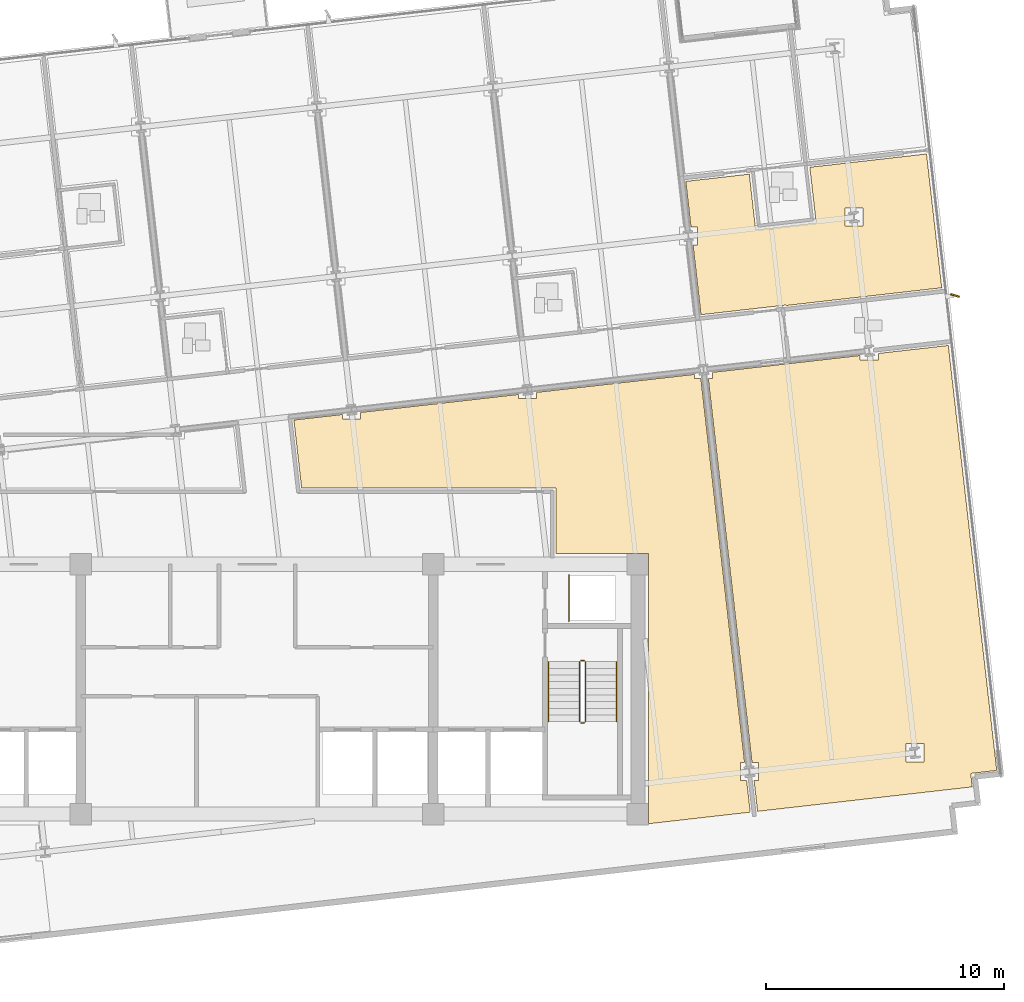
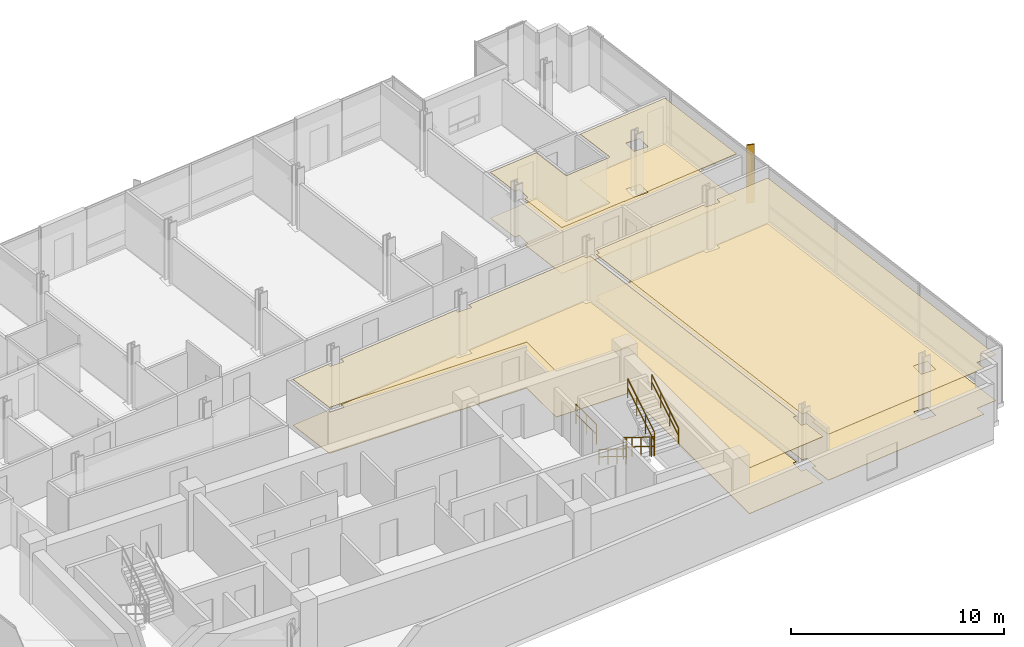
# One storey, part 14 of 16: 7 railings, 6 coverings, 1 shading device.
"""IFC4 building model written with IfcOpenShell, lengths in metres."""

from ifc_helpers import new_model, si_unit, direction, frame, origin, origin_2d, place, context, subcontext, project, spatial, polyline, rectangle, circle, outline, extrude, material, layer, layer_set, type_object, element, save


model = new_model("IFC4")

# Units and contexts
model_context = context("Model", 3, precision=1e-05, world=origin(), true_north=direction((0.0, 1.0)))
body_context = subcontext(model_context, "Body", "Model", "MODEL_VIEW")
ifc_project = project(units=[si_unit("LENGTHUNIT", "METRE"), si_unit("AREAUNIT", "SQUARE_METRE"), si_unit("VOLUMEUNIT", "CUBIC_METRE"), si_unit("PLANEANGLEUNIT", "RADIAN"), si_unit("MASSUNIT", "GRAM", prefix="KILO")], contexts=[model_context])

# Site, building, storey
site_placement = place(None, origin())
site = spatial("IfcSite", under=ifc_project, at=site_placement, CompositionType="ELEMENT")
building_placement = place(site_placement, origin())
building = spatial("IfcBuilding", under=site, at=building_placement, Name="Solmavex Isthmus Hotel", CompositionType="ELEMENT")
storey_placement = place(building_placement, frame((0.0, 0.0, 222.75)))
storey = spatial("IfcBuildingStorey", under=building, at=storey_placement, Name="L60", CompositionType="ELEMENT", Elevation=222.75)

# Coverings
ifc_material_1 = material(Name="Gypsum plasterboard lining", Category="gypsum")
ifc_layer_1 = layer(ifc_material_1, 0.030029296875)
ifc_layer_set_1 = layer_set([ifc_layer_1], Name="Gypsum plasterboard lining")
covering_type_1 = type_object("IfcCoveringType", Name="COV-CEIL-GYP", PredefinedType="CEILING", material=ifc_layer_set_1)
covering_1_placement = place(storey_placement, frame((0.0, 0.0, 2.6201171875)))
element("IfcCovering", 1, at=covering_1_placement, inside=storey, type_object=covering_type_1, Name="Suspended Acoustic Ceiling L60-ST06-FY", PredefinedType="CEILING", context=body_context, shape_type="SweptSolid", body=[
    extrude(outline(polyline([(20.68017578125, 13.8857421875), (18.013427734375, 13.581787109375), (18.044189453125, 13.3115234375), (18.23193359375, 11.6640625), (18.499267578125, 11.6640625), (18.499267578125, 10.904052734375), (18.318359375, 10.904052734375), (18.651611328125, 7.97998046875), (22.228515625, 8.3876953125), (22.230712890625, 8.36767578125), (28.766357421875, 9.1123046875), (28.1259765625, 14.73388671875), (23.2236328125, 14.175537109375), (23.48974609375, 11.840576171875), (20.946044921875, 11.55078125), (20.68017578125, 13.8857421875)]), holes=[polyline([(24.7021484375, 11.697265625), (24.7021484375, 12.457275390625), (25.462158203125, 12.457275390625), (25.462158203125, 11.697265625), (24.7021484375, 11.697265625)])]), origin(), (0.0, 0.0, 1.0), 0.02978515625),
])
covering_2_placement = place(storey_placement, frame((0.0, 0.0, 2.6201171875)))
element("IfcCovering", 2, at=covering_2_placement, inside=storey, type_object=covering_type_1, Name="Suspended Acoustic Ceiling L60-FL11", PredefinedType="CEILING", context=body_context, shape_type="SweptSolid", body=[
    extrude(outline(polyline([(4.34228515625, 3.873779296875), (4.34228515625, 3.6064453125), (3.582275390625, 3.6064453125), (3.582275390625, 3.787109375), (1.547607421875, 3.555419921875), (1.872314453125, 0.705078125), (12.554931640625, 0.705078125), (12.554931640625, -2.044921875), (16.455078125, -2.044921875), (16.455078125, -13.406005859375), (20.720947265625, -12.920166015625), (20.5703125, -11.598388671875), (20.302978515625, -11.598388671875), (20.302978515625, -10.83837890625), (20.483642578125, -10.83837890625), (18.645751953125, 5.292236328125), (18.378662109375, 5.292236328125), (18.378662109375, 5.472900390625), (11.740478515625, 4.716796875), (11.740478515625, 4.449462890625), (10.98046875, 4.449462890625), (10.98046875, 4.630126953125), (4.34228515625, 3.873779296875)])), origin(), (0.0, 0.0, 1.0), 0.02978515625),
])
covering_3_placement = place(storey_placement, frame((0.0, 0.0, 2.6201171875)))
element("IfcCovering", 3, at=covering_3_placement, inside=storey, type_object=covering_type_1, Name="Suspended Acoustic Ceiling L60-FL12", PredefinedType="CEILING", context=body_context, shape_type="SweptSolid", body=[
    extrude(outline(polyline([(20.795654296875, -10.83837890625), (21.06298828125, -10.83837890625), (21.06298828125, -11.598388671875), (20.88232421875, -11.598388671875), (21.02880859375, -12.885009765625), (30.048583984375, -11.857421875), (29.98388671875, -11.291015625), (31.076904296875, -11.16650390625), (30.983642578125, -10.3466796875), (29.042724609375, 6.68798828125), (26.1015625, 6.35302734375), (26.1015625, 6.085693359375), (25.341552734375, 6.085693359375), (25.341552734375, 6.266357421875), (19.138427734375, 5.5595703125), (19.138427734375, 5.292236328125), (18.957763671875, 5.292236328125), (20.795654296875, -10.83837890625)]), holes=[polyline([(27.265869140625, -10.80517578125), (27.265869140625, -10.045166015625), (28.02587890625, -10.045166015625), (28.02587890625, -10.80517578125), (27.265869140625, -10.80517578125)])]), origin(), (0.0, 0.0, 1.0), 0.02978515625),
])
ifc_material_2 = material(Name="Travertine natural stone", Category="masonry")
ifc_layer_2 = layer(ifc_material_2, 0.02490234375)
ifc_layer_set_2 = layer_set([ifc_layer_2], Name="Travertine natural stone")
covering_type_2 = type_object("IfcCoveringType", Name="COV-FLOR-STN", PredefinedType="FLOORING", material=ifc_layer_set_2)
covering_4_placement = place(storey_placement, origin())
element("IfcCovering", 4, at=covering_4_placement, inside=storey, type_object=covering_type_2, Name="Stone and Timber Floor Finish L60-ST06-FY", PredefinedType="FLOORING", context=body_context, shape_type="SweptSolid", body=[
    extrude(outline(polyline([(20.68017578125, 13.8857421875), (18.013427734375, 13.581787109375), (18.044189453125, 13.3115234375), (18.23193359375, 11.6640625), (18.499267578125, 11.6640625), (18.499267578125, 10.904052734375), (18.318359375, 10.904052734375), (18.651611328125, 7.97998046875), (22.228515625, 8.3876953125), (22.230712890625, 8.36767578125), (28.766357421875, 9.1123046875), (28.1259765625, 14.73388671875), (23.2236328125, 14.175537109375), (23.48974609375, 11.840576171875), (20.946044921875, 11.55078125), (20.68017578125, 13.8857421875)]), holes=[polyline([(24.7021484375, 11.697265625), (24.7021484375, 12.457275390625), (25.462158203125, 12.457275390625), (25.462158203125, 11.697265625), (24.7021484375, 11.697265625)])]), origin(), (0.0, 0.0, 1.0), 0.02490234375),
])
covering_5_placement = place(storey_placement, origin())
element("IfcCovering", 5, at=covering_5_placement, inside=storey, type_object=covering_type_2, Name="Stone and Timber Floor Finish L60-FL11", PredefinedType="FLOORING", context=body_context, shape_type="SweptSolid", body=[
    extrude(outline(polyline([(4.34228515625, 3.873779296875), (4.34228515625, 3.6064453125), (3.582275390625, 3.6064453125), (3.582275390625, 3.787109375), (1.547607421875, 3.555419921875), (1.872314453125, 0.705078125), (12.554931640625, 0.705078125), (12.554931640625, -2.044921875), (16.455078125, -2.044921875), (16.455078125, -13.406005859375), (20.720947265625, -12.920166015625), (20.5703125, -11.598388671875), (20.302978515625, -11.598388671875), (20.302978515625, -10.83837890625), (20.483642578125, -10.83837890625), (18.645751953125, 5.292236328125), (18.378662109375, 5.292236328125), (18.378662109375, 5.472900390625), (11.740478515625, 4.716796875), (11.740478515625, 4.449462890625), (10.98046875, 4.449462890625), (10.98046875, 4.630126953125), (4.34228515625, 3.873779296875)])), origin(), (0.0, 0.0, 1.0), 0.02490234375),
])
covering_6_placement = place(storey_placement, origin())
element("IfcCovering", 6, at=covering_6_placement, inside=storey, type_object=covering_type_2, Name="Stone and Timber Floor Finish L60-FL12", PredefinedType="FLOORING", context=body_context, shape_type="SweptSolid", body=[
    extrude(outline(polyline([(20.795654296875, -10.83837890625), (21.06298828125, -10.83837890625), (21.06298828125, -11.598388671875), (20.88232421875, -11.598388671875), (21.02880859375, -12.885009765625), (30.048583984375, -11.857421875), (29.98388671875, -11.291015625), (31.076904296875, -11.16650390625), (30.983642578125, -10.3466796875), (29.042724609375, 6.68798828125), (26.1015625, 6.35302734375), (26.1015625, 6.085693359375), (25.341552734375, 6.085693359375), (25.341552734375, 6.266357421875), (19.138427734375, 5.5595703125), (19.138427734375, 5.292236328125), (18.957763671875, 5.292236328125), (20.795654296875, -10.83837890625)]), holes=[polyline([(27.265869140625, -10.80517578125), (27.265869140625, -10.045166015625), (28.02587890625, -10.045166015625), (28.02587890625, -10.80517578125), (27.265869140625, -10.80517578125)])]), origin(), (0.0, 0.0, 1.0), 0.02490234375),
])

# Railings
ifc_material_3 = material(Name="Clear low-E laminated glass", Category="glass")
ifc_layer_3 = layer(ifc_material_3, 0.080078125)
ifc_layer_set_3 = layer_set([ifc_layer_3], Name="Clear low-E laminated glass")
railing_type_1 = type_object("IfcRailingType", Name="RAIL-ATRIUM-1120", PredefinedType="BALUSTRADE", material=ifc_layer_set_3)
railing_1_placement = place(storey_placement, frame((13.10009765625, -4.89990234375, 0.0)))
element("IfcRailing", 7, at=railing_1_placement, inside=storey, type_object=railing_type_1, Name="Guardrail Balustrade L60-RSE-01", PredefinedType="BALUSTRADE", context=body_context, shape_type="SweptSolid", body=[
    extrude(circle(Radius=0.02392578125, at=origin_2d()), frame((0.0, 0.0, 1.1259765625), z_axis=(0.0, 1.0, 0.0), x_axis=(-1.0, 0.0, 0.0)), (0.0, 0.0, 1.0), 1.949951171875),
    extrude(circle(Radius=0.02392578125, at=origin_2d()), frame((0.0, 0.0, 0.574951171875), z_axis=(0.0, 1.0, 0.0), x_axis=(-1.0, 0.0, 0.0)), (0.0, 0.0, 1.0), 1.949951171875),
    extrude(circle(Radius=0.02099609375, at=origin_2d()), origin(), (0.0, 0.0, 1.0), 1.101806640625),
    extrude(circle(Radius=0.02099609375, at=origin_2d()), frame((0.0, 0.97509765625, 0.0)), (0.0, 0.0, 1.0), 1.101806640625),
    extrude(circle(Radius=0.02099609375, at=origin_2d()), frame((0.0, 1.949951171875, 0.0)), (0.0, 0.0, 1.0), 1.101806640625),
])
ifc_material_4 = material(Name="Stainless steel 316", Category="steel")
ifc_layer_4 = layer(ifc_material_4, 0.06005859375)
ifc_layer_set_4 = layer_set([ifc_layer_4], Name="Stainless steel 316")
railing_type_2 = type_object("IfcRailingType", Name="RAIL-STAIR-GD", PredefinedType="GUARDRAIL", material=ifc_layer_set_4)
railing_2_placement = place(storey_placement, frame((13.550048828125, -6.60009765625, 0.172607421875)))
element("IfcRailing", 8, at=railing_2_placement, inside=storey, type_object=railing_type_2, Name="L60 ST-2 stair guard 1", PredefinedType="GUARDRAIL", context=body_context, shape_type="SweptSolid", body=[
    extrude(circle(Radius=0.02392578125, at=origin_2d()), frame((0.0, 0.0, 1.09619140625), z_axis=(0.0, -0.851400495292, 0.524516154772), x_axis=(1.0, 0.0, 0.0)), (0.0, 0.0, 1.0), 2.9599609375),
    extrude(circle(Radius=0.02392578125, at=origin_2d()), frame((0.0, 0.0, 0.56005859375), z_axis=(0.0, -0.851400495292, 0.524516154772), x_axis=(1.0, 0.0, 0.0)), (0.0, 0.0, 1.0), 2.9599609375),
    extrude(circle(Radius=0.02099609375, at=origin_2d()), origin(), (0.0, 0.0, 1.0), 1.072021484375),
    extrude(circle(Radius=0.02099609375, at=origin_2d()), frame((0.0, -0.840087890625, 0.517578125)), (0.0, 0.0, 1.0), 1.072021484375),
    extrude(circle(Radius=0.02099609375, at=origin_2d()), frame((0.0, -1.679931640625, 1.034912109375)), (0.0, 0.0, 1.0), 1.072021484375),
    extrude(circle(Radius=0.02099609375, at=origin_2d()), frame((0.0, -2.52001953125, 1.552490234375)), (0.0, 0.0, 1.0), 1.072021484375),
])
railing_3_placement = place(storey_placement, frame((13.60009765625, -9.169921875, 1.72509765625)))
element("IfcRailing", 9, at=railing_3_placement, inside=storey, type_object=railing_type_2, Name="L60 ST-2 stair guard 2", PredefinedType="GUARDRAIL", context=body_context, shape_type="SweptSolid", body=[
    extrude(circle(Radius=0.02392578125, at=origin_2d()), frame((0.0, 0.0, 1.09619140625), z_axis=(1.0, 0.0, 0.0), x_axis=(0.0, 1.0, 0.0)), (0.0, 0.0, 1.0), 0.14990234375),
    extrude(circle(Radius=0.02392578125, at=origin_2d()), frame((0.0, 0.0, 0.56005859375), z_axis=(1.0, 0.0, 0.0), x_axis=(0.0, 1.0, 0.0)), (0.0, 0.0, 1.0), 0.14990234375),
    extrude(circle(Radius=0.02099609375, at=origin_2d()), origin(), (0.0, 0.0, 1.0), 1.072021484375),
    extrude(circle(Radius=0.02099609375, at=origin_2d()), frame((0.14990234375, 0.0, 0.0)), (0.0, 0.0, 1.0), 1.072021484375),
])
railing_4_placement = place(storey_placement, frame((13.800048828125, -9.1201171875, 1.8974609375)))
element("IfcRailing", 10, at=railing_4_placement, inside=storey, type_object=railing_type_2, Name="L60 ST-2 stair guard 3", PredefinedType="GUARDRAIL", context=body_context, shape_type="SweptSolid", body=[
    extrude(circle(Radius=0.02392578125, at=origin_2d()), frame((0.0, 0.0, 1.09619140625), z_axis=(0.0, 0.851400495292, 0.524516154772), x_axis=(-1.0, 0.0, 0.0)), (0.0, 0.0, 1.0), 2.9599609375),
    extrude(circle(Radius=0.02392578125, at=origin_2d()), frame((0.0, 0.0, 0.56005859375), z_axis=(0.0, 0.851400495292, 0.524516154772), x_axis=(-1.0, 0.0, 0.0)), (0.0, 0.0, 1.0), 2.9599609375),
    extrude(circle(Radius=0.02099609375, at=origin_2d()), origin(), (0.0, 0.0, 1.0), 1.072021484375),
    extrude(circle(Radius=0.02099609375, at=origin_2d()), frame((0.0, 0.840087890625, 0.517578125)), (0.0, 0.0, 1.0), 1.072021484375),
    extrude(circle(Radius=0.02099609375, at=origin_2d()), frame((0.0, 1.679931640625, 1.034912109375)), (0.0, 0.0, 1.0), 1.072021484375),
    extrude(circle(Radius=0.02099609375, at=origin_2d()), frame((0.0, 2.52001953125, 1.552490234375)), (0.0, 0.0, 1.0), 1.072021484375),
])
railing_5_placement = place(storey_placement, frame((13.60009765625, -6.550048828125, 0.0)))
element("IfcRailing", 11, at=railing_5_placement, inside=storey, type_object=railing_type_2, Name="L60 ST-2 stair guard 4", PredefinedType="GUARDRAIL", context=body_context, shape_type="SweptSolid", body=[
    extrude(circle(Radius=0.02392578125, at=origin_2d()), frame((0.0, 0.0, 1.09619140625), z_axis=(1.0, 0.0, 0.0), x_axis=(0.0, 1.0, 0.0)), (0.0, 0.0, 1.0), 0.14990234375),
    extrude(circle(Radius=0.02392578125, at=origin_2d()), frame((0.0, 0.0, 0.56005859375), z_axis=(1.0, 0.0, 0.0), x_axis=(0.0, 1.0, 0.0)), (0.0, 0.0, 1.0), 0.14990234375),
    extrude(circle(Radius=0.02099609375, at=origin_2d()), origin(), (0.0, 0.0, 1.0), 1.072021484375),
    extrude(circle(Radius=0.02099609375, at=origin_2d()), frame((0.14990234375, 0.0, 0.0)), (0.0, 0.0, 1.0), 1.072021484375),
])
ifc_layer_5 = layer(ifc_material_4, 0.050048828125)
ifc_layer_set_5 = layer_set([ifc_layer_5], Name="Stainless steel 316")
railing_type_3 = type_object("IfcRailingType", Name="RAIL-STAIR-HR", PredefinedType="HANDRAIL", material=ifc_layer_set_5)
railing_6_placement = place(storey_placement, frame((12.25, -6.60009765625, 0.172607421875)))
element("IfcRailing", 12, at=railing_6_placement, inside=storey, type_object=railing_type_3, Name="L60 ST-2 stair handrail 1", PredefinedType="HANDRAIL", context=body_context, shape_type="SweptSolid", body=[
    extrude(circle(Radius=0.02392578125, at=origin_2d()), frame((0.0, 0.0, 0.8759765625), z_axis=(0.0, -0.851400495292, 0.524516154772), x_axis=(1.0, 0.0, 0.0)), (0.0, 0.0, 1.0), 2.9599609375),
    extrude(circle(Radius=0.02392578125, at=origin_2d()), frame((0.0, 0.0, 0.449951171875), z_axis=(0.0, -0.851400495292, 0.524516154772), x_axis=(1.0, 0.0, 0.0)), (0.0, 0.0, 1.0), 2.9599609375),
    extrude(circle(Radius=0.02099609375, at=origin_2d()), origin(), (0.0, 0.0, 1.0), 0.851806640625),
    extrude(circle(Radius=0.02099609375, at=origin_2d()), frame((0.0, -0.840087890625, 0.517578125)), (0.0, 0.0, 1.0), 0.851806640625),
    extrude(circle(Radius=0.02099609375, at=origin_2d()), frame((0.0, -1.679931640625, 1.034912109375)), (0.0, 0.0, 1.0), 0.851806640625),
    extrude(circle(Radius=0.02099609375, at=origin_2d()), frame((0.0, -2.52001953125, 1.552490234375)), (0.0, 0.0, 1.0), 0.851806640625),
])
railing_7_placement = place(storey_placement, frame((15.10009765625, -9.1201171875, 1.8974609375)))
element("IfcRailing", 13, at=railing_7_placement, inside=storey, type_object=railing_type_3, Name="L60 ST-2 stair handrail 2", PredefinedType="HANDRAIL", context=body_context, shape_type="SweptSolid", body=[
    extrude(circle(Radius=0.02392578125, at=origin_2d()), frame((0.0, 0.0, 0.8759765625), z_axis=(0.0, 0.851400495292, 0.524516154772), x_axis=(-1.0, 0.0, 0.0)), (0.0, 0.0, 1.0), 2.9599609375),
    extrude(circle(Radius=0.02392578125, at=origin_2d()), frame((0.0, 0.0, 0.449951171875), z_axis=(0.0, 0.851400495292, 0.524516154772), x_axis=(-1.0, 0.0, 0.0)), (0.0, 0.0, 1.0), 2.9599609375),
    extrude(circle(Radius=0.02099609375, at=origin_2d()), origin(), (0.0, 0.0, 1.0), 0.851806640625),
    extrude(circle(Radius=0.02099609375, at=origin_2d()), frame((0.0, 0.840087890625, 0.517578125)), (0.0, 0.0, 1.0), 0.851806640625),
    extrude(circle(Radius=0.02099609375, at=origin_2d()), frame((0.0, 1.679931640625, 1.034912109375)), (0.0, 0.0, 1.0), 0.851806640625),
    extrude(circle(Radius=0.02099609375, at=origin_2d()), frame((0.0, 2.52001953125, 1.552490234375)), (0.0, 0.0, 1.0), 0.851806640625),
])

# Shading device
ifc_material_5 = material(Name="Aluminium alloy 6063-T6", Category="aluminium")
shading_device_type = type_object("IfcShadingDeviceType", Name="SHD-FIN-CHAMP", PredefinedType="USERDEFINED", material=ifc_material_5)
shading_device_placement = place(storey_placement, frame((29.32177734375, 8.7880859375, -0.14013671875), z_axis=(0.0, 0.0, 1.0), x_axis=(0.953716950748, -0.300705799504, 0.0)))
element("IfcShadingDevice", 14, at=shading_device_placement, inside=storey, type_object=shading_device_type, Name="Anodised Aluminium Solar Fin L60-E1", ObjectType="SOLAR_FIN", PredefinedType="USERDEFINED", context=body_context, shape_type="SweptSolid", body=[
    extrude(rectangle(XDim=0.3798828125, YDim=0.070068359375, at=origin_2d()), origin(), (0.0, 0.0, 1.0), 3.330078125),
])

save(model, "model.ifc")
